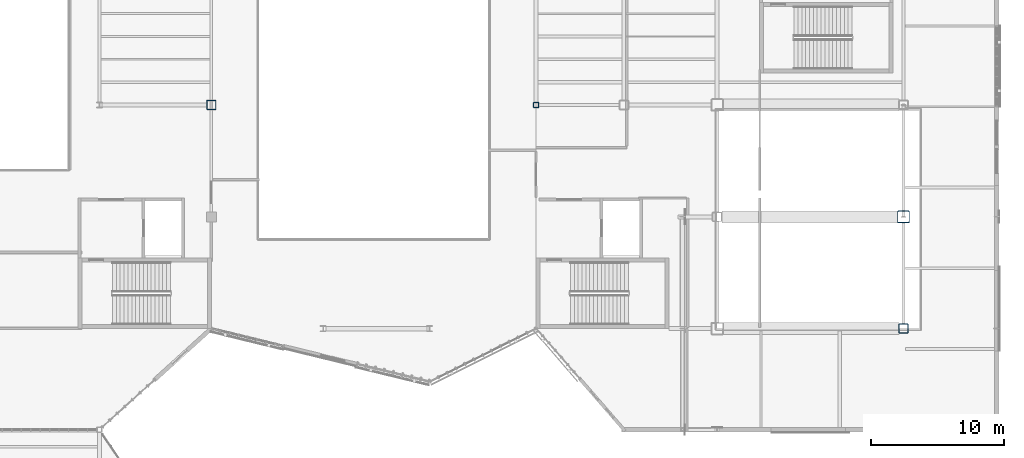
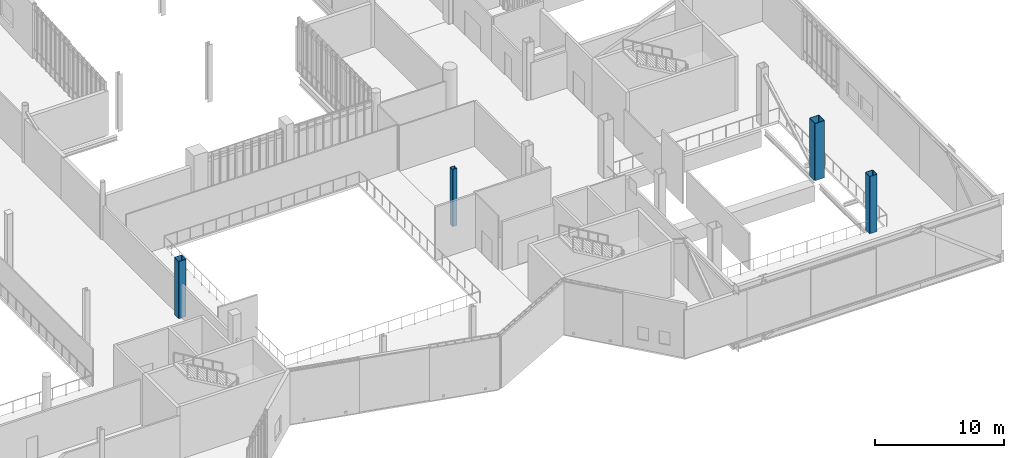
# One storey, part 6 of 127: 4 columns.
"""IFC4 building model written with IfcOpenShell, lengths in metres."""

from ifc_helpers import new_model, si_unit, direction, frame, origin, origin_2d, place, context, subcontext, project, spatial, hollow_rectangle, extrude, material, material_profile, profile_set, type_object, element, save


model = new_model("IFC4")

# Units and contexts
model_context = context("Model", 3, precision=1e-05, world=origin(), true_north=direction((0.0, 1.0)))
body_context = subcontext(model_context, "Body", "Model", "MODEL_VIEW")
ifc_project = project(units=[si_unit("LENGTHUNIT", "METRE"), si_unit("AREAUNIT", "SQUARE_METRE"), si_unit("VOLUMEUNIT", "CUBIC_METRE"), si_unit("PLANEANGLEUNIT", "RADIAN"), si_unit("MASSUNIT", "GRAM", prefix="KILO")], contexts=[model_context])

# Site, building, storey
site_placement = place(None, origin())
site = spatial("IfcSite", under=ifc_project, at=site_placement, CompositionType="ELEMENT")
building_placement = place(site_placement, origin())
building = spatial("IfcBuilding", under=site, at=building_placement, Name="Larkvane Passage Sports Hall", CompositionType="ELEMENT")
storey_placement = place(building_placement, frame((0.0, 0.0, 5.39990234375)))
storey = spatial("IfcBuildingStorey", under=building, at=storey_placement, Name="L01", CompositionType="ELEMENT", Elevation=5.39990234375)

# Columns
ifc_material = material(Name="Steel S460N", Category="steel")
ifc_material_profile_1 = material_profile(ifc_material, hollow_rectangle(XDim=0.699951171875, YDim=0.699951171875, WallThickness=0.028076171875, InnerFilletRadius=0.028076171875, OuterFilletRadius=0.055908203125, at=origin_2d()), Name="BOX-700x700x28")
ifc_profile_set_1 = profile_set([ifc_material_profile_1], Name="Steel S460N")
column_type_1 = type_object("IfcColumnType", Name="COL-STL-BOX700", PredefinedType="COLUMN", material=ifc_profile_set_1)
for number, where, z_axis, x_axis, name in (
    (1, (93.60009765625, 39.60009765625, 0.0), (0.0, 0.0, 1.0), (1.0, 0.0, 0.0), "Column 13/F L01"),
    (2, (145.60009765625, 22.800048828125, 0.0), (0.0, 0.0, 1.0), (1.0, 0.0, 0.0), "Column 19/D L01"),
):
    element("IfcColumn", number, at=place(storey_placement, frame(where, z_axis=z_axis, x_axis=x_axis)), inside=storey, type_object=column_type_1, Name=name, PredefinedType="COLUMN", context=body_context, shape_type="SweptSolid", body=[
        extrude(hollow_rectangle(XDim=0.699951171875, YDim=0.699951171875, WallThickness=0.028076171875, InnerFilletRadius=0.028076171875, OuterFilletRadius=0.055908203125, at=origin_2d()), origin(), (0.0, 0.0, 1.0), 5.400146484375),
    ])
ifc_material_profile_2 = material_profile(ifc_material, hollow_rectangle(XDim=0.89990234375, YDim=0.89990234375, WallThickness=0.035888671875, InnerFilletRadius=0.035888671875, OuterFilletRadius=0.072021484375, at=origin_2d()), Name="BOX-900x900x36")
ifc_profile_set_2 = profile_set([ifc_material_profile_2], Name="Steel S460N")
column_type_2 = type_object("IfcColumnType", Name="COL-STL-BOX900", PredefinedType="COLUMN", material=ifc_profile_set_2)
column_1_placement = place(storey_placement, frame((145.60009765625, 31.199951171875, 0.0), z_axis=(0.0, 0.0, 1.0), x_axis=(1.0, 0.0, 0.0)))
element("IfcColumn", 3, at=column_1_placement, inside=storey, type_object=column_type_2, Name="Column 19/E L01", PredefinedType="COLUMN", context=body_context, shape_type="SweptSolid", body=[
    extrude(hollow_rectangle(XDim=0.89990234375, YDim=0.89990234375, WallThickness=0.035888671875, InnerFilletRadius=0.035888671875, OuterFilletRadius=0.072021484375, at=origin_2d()), origin(), (0.0, 0.0, 1.0), 5.400146484375),
])
ifc_material_profile_3 = material_profile(ifc_material, hollow_rectangle(XDim=0.39990234375, YDim=0.39990234375, WallThickness=0.01904296875, InnerFilletRadius=0.01904296875, OuterFilletRadius=0.0380859375, at=origin_2d()), Name="SHS-400x400x19")
ifc_profile_set_3 = profile_set([ifc_material_profile_3], Name="Steel S460N")
column_type_3 = type_object("IfcColumnType", Name="COL-STL-SHS400", PredefinedType="COLUMN", material=ifc_profile_set_3)
column_2_placement = place(storey_placement, frame((118.0, 39.60009765625, 0.0), z_axis=(0.0, 0.0, 1.0), x_axis=(1.0, 0.0, 0.0)))
element("IfcColumn", 4, at=column_2_placement, inside=storey, type_object=column_type_3, Name="Column 16/F L01", PredefinedType="COLUMN", context=body_context, shape_type="SweptSolid", body=[
    extrude(hollow_rectangle(XDim=0.39990234375, YDim=0.39990234375, WallThickness=0.01904296875, InnerFilletRadius=0.01904296875, OuterFilletRadius=0.0380859375, at=origin_2d()), origin(), (0.0, 0.0, 1.0), 5.400146484375),
])

save(model, "model.ifc")
